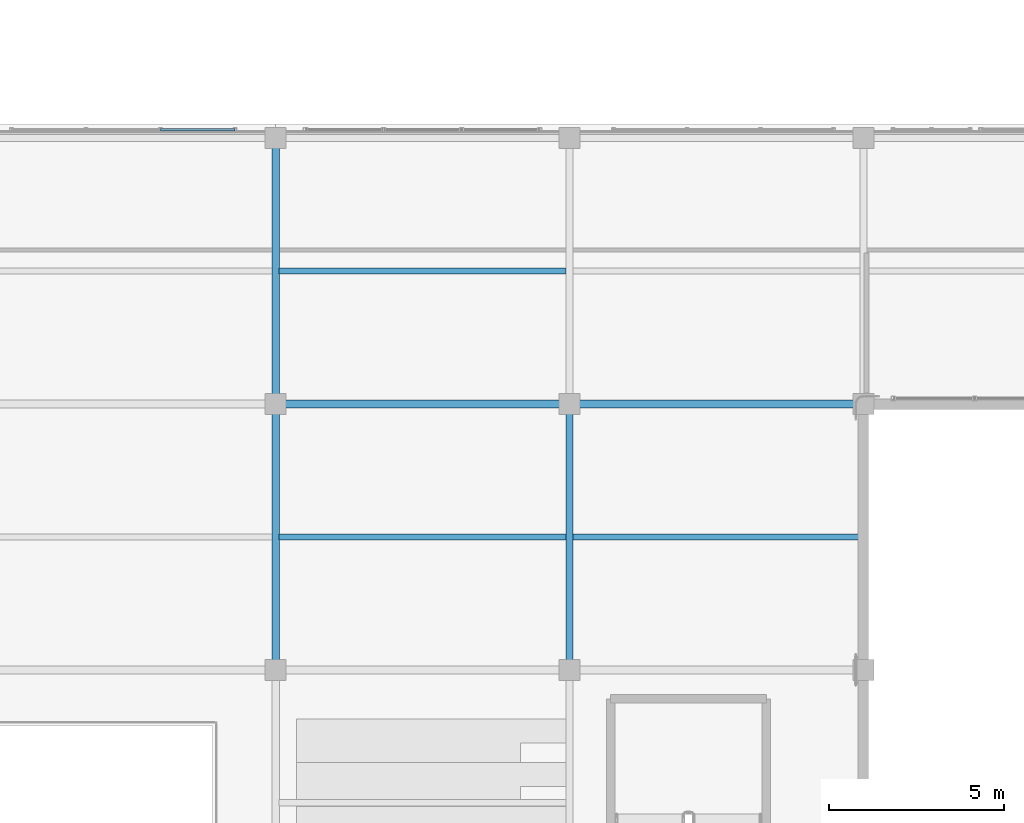
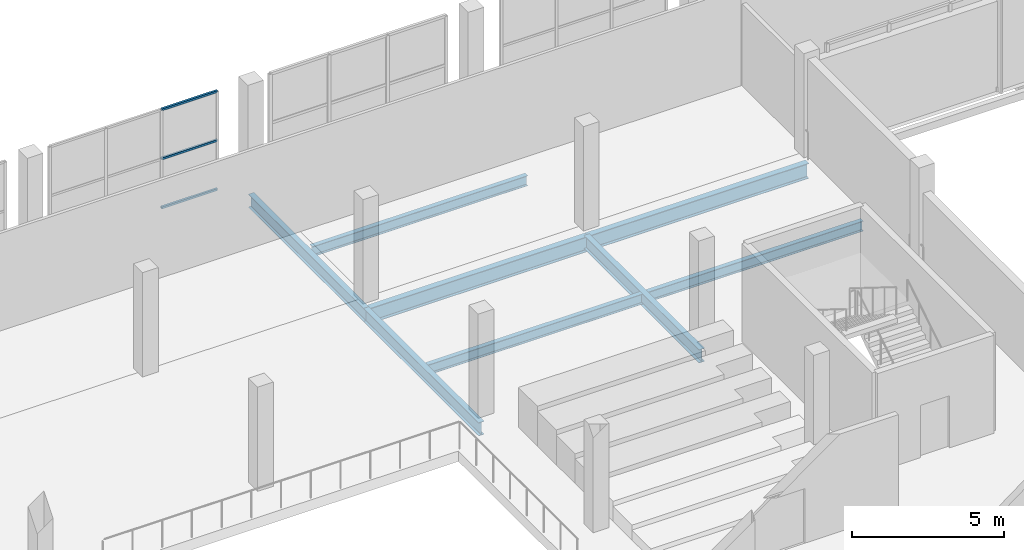
# One storey, part 39 of 217: 8 beams, 3 members, 1 element without a shape of its own.
"""IFC4 building model written with IfcOpenShell, lengths in metres."""

from ifc_helpers import new_model, si_unit, direction, frame, origin, origin_2d, place, context, subcontext, project, spatial, hollow_rectangle, i_section, extrude, material, material_profile, profile_set, type_object, element, aggregate, save


model = new_model("IFC4")

# Units and contexts
model_context = context("Model", 3, precision=1e-05, world=origin(), true_north=direction((0.0, 1.0)))
body_context = subcontext(model_context, "Body", "Model", "MODEL_VIEW")
ifc_project = project(units=[si_unit("LENGTHUNIT", "METRE"), si_unit("AREAUNIT", "SQUARE_METRE"), si_unit("VOLUMEUNIT", "CUBIC_METRE"), si_unit("PLANEANGLEUNIT", "RADIAN"), si_unit("MASSUNIT", "GRAM", prefix="KILO")], contexts=[model_context])

# Site, building, storey
site_placement = place(None, origin())
site = spatial("IfcSite", under=ifc_project, at=site_placement, CompositionType="ELEMENT")
building_placement = place(site_placement, origin())
building = spatial("IfcBuilding", under=site, at=building_placement, Name="Zuvorla Pavilion Media Centre", CompositionType="ELEMENT")
storey_placement = place(building_placement, frame((0.0, 0.0, 9.60009765625)))
storey = spatial("IfcBuildingStorey", under=building, at=storey_placement, Name="L02", CompositionType="ELEMENT", Elevation=9.60009765625)

# Beams
ifc_material_1 = material(Name="Steel S355", Category="steel")
ifc_material_profile_1 = material_profile(ifc_material_1, i_section(OverallWidth=0.1787109375, OverallDepth=0.409423828125, WebThickness=0.0087890625, FlangeThickness=0.014404296875, FilletRadius=0.01025390625, at=origin_2d()), Name="UB 406x178x67")
ifc_profile_set_1 = profile_set([ifc_material_profile_1], Name="Steel S355")
beam_type_1 = type_object("IfcBeamType", Name="BM-UB406", PredefinedType="JOIST", material=ifc_profile_set_1)
for number, where, z_axis, x_axis, name in (
    (1, (92.10009765625, 40.199951171875, -0.6328125), (1.0, 0.0, 0.0), (0.0, 1.0, 0.0), "L02 joist J02 1022"),
    (2, (92.10009765625, 47.800048828125, -0.472900390625), (1.0, 0.0, 0.0), (0.0, 1.0, 0.0), "L02 joist J02 1023"),
    (3, (100.5, 40.199951171875, -0.6328125), (1.0, 0.0, 0.0), (0.0, 1.0, 0.0), "L02 joist J02 1027"),
):
    element("IfcBeam", number, at=place(storey_placement, frame(where, z_axis=z_axis, x_axis=x_axis)), inside=storey, type_object=beam_type_1, Name=name, PredefinedType="JOIST", context=body_context, shape_type="SweptSolid", body=[
        extrude(i_section(OverallWidth=0.1787109375, OverallDepth=0.409423828125, WebThickness=0.0087890625, FlangeThickness=0.014404296875, FilletRadius=0.01025390625, at=origin_2d()), origin(), (0.0, 0.0, 1.0), 8.199951171875),
    ])
ifc_material_profile_2 = material_profile(ifc_material_1, i_section(OverallWidth=0.2099609375, OverallDepth=0.53662109375, WebThickness=0.0107421875, FlangeThickness=0.017333984375, FilletRadius=0.0126953125, at=origin_2d()), Name="UB 533x210x101")
ifc_profile_set_2 = profile_set([ifc_material_profile_2], Name="Steel S355")
beam_type_2 = type_object("IfcBeamType", Name="BM-UB533", PredefinedType="BEAM", material=ifc_profile_set_2)
for number, where, z_axis, x_axis, name in (
    (4, (92.0, 36.39990234375, -0.6962890625), (0.0, 1.0, 0.0), (-1.0, 0.0, 0.0), "L02 beam B08 944"),
    (5, (92.0, 44.0, -0.6962890625), (0.0, 1.0, 0.0), (-1.0, 0.0, 0.0), "L02 beam B08 945"),
    (6, (100.39990234375, 36.39990234375, -0.6962890625), (0.0, 1.0, 0.0), (-1.0, 0.0, 0.0), "L02 beam B08 951"),
):
    element("IfcBeam", number, at=place(storey_placement, frame(where, z_axis=z_axis, x_axis=x_axis)), inside=storey, type_object=beam_type_2, Name=name, PredefinedType="BEAM", context=body_context, shape_type="SweptSolid", body=[
        extrude(i_section(OverallWidth=0.2099609375, OverallDepth=0.53662109375, WebThickness=0.0107421875, FlangeThickness=0.017333984375, FilletRadius=0.0126953125, at=origin_2d()), origin(), (0.0, 0.0, 1.0), 7.60009765625),
    ])
ifc_material_profile_3 = material_profile(ifc_material_1, i_section(OverallWidth=0.22900390625, OverallDepth=0.6123046875, WebThickness=0.011962890625, FlangeThickness=0.01953125, FilletRadius=0.0126953125, at=origin_2d()), Name="UB 610x229x125")
ifc_profile_set_3 = profile_set([ifc_material_profile_3], Name="Steel S355")
beam_type_3 = type_object("IfcBeamType", Name="BM-UB610", PredefinedType="BEAM", material=ifc_profile_set_3)
beam_1_placement = place(storey_placement, frame((92.0, 44.0, -0.734130859375), z_axis=(1.0, 0.0, 0.0), x_axis=(0.0, 1.0, 0.0)))
element("IfcBeam", 7, at=beam_1_placement, inside=storey, type_object=beam_type_3, Name="L02 beam B07 827", PredefinedType="BEAM", context=body_context, shape_type="SweptSolid", body=[
    extrude(i_section(OverallWidth=0.22900390625, OverallDepth=0.6123046875, WebThickness=0.011962890625, FlangeThickness=0.01953125, FilletRadius=0.0126953125, at=origin_2d()), origin(), (0.0, 0.0, 1.0), 8.39990234375),
])
beam_2_placement = place(storey_placement, frame((100.39990234375, 44.0, -0.734130859375), z_axis=(1.0, 0.0, 0.0), x_axis=(0.0, 1.0, 0.0)))
element("IfcBeam", 8, at=beam_2_placement, inside=storey, type_object=beam_type_3, Name="L02 beam B07 828", PredefinedType="BEAM", context=body_context, shape_type="SweptSolid", body=[
    extrude(i_section(OverallWidth=0.22900390625, OverallDepth=0.6123046875, WebThickness=0.011962890625, FlangeThickness=0.01953125, FilletRadius=0.0126953125, at=origin_2d()), origin(), (0.0, 0.0, 1.0), 8.400146484375),
])

# Curtain wall, members
ifc_material_2 = material(Name="Unitised anodised aluminium and solar glass curtain wall", Category="aluminium")
curtain_wall_type = type_object("IfcCurtainWallType", Name="CW-SYS-45", PredefinedType="USERDEFINED", material=ifc_material_2)
curtain_wall_placement = place(storey_placement, origin())
curtain_wall = element("IfcCurtainWall", 9, at=curtain_wall_placement, inside=storey, type_object=curtain_wall_type, Name="L02 curtain wall CW45 66", ObjectType="CURTAIN WALL", PredefinedType="USERDEFINED")
ifc_material_3 = material(Name="Anodised aluminium 6063-T6", Category="aluminium")
ifc_material_profile_4 = material_profile(ifc_material_3, hollow_rectangle(XDim=0.080078125, YDim=0.080078125, WallThickness=0.00390625, at=origin_2d()), Name="ALU TRAN 80x80")
ifc_profile_set_4 = profile_set([ifc_material_profile_4], Name="Anodised aluminium 6063-T6")
member_type = type_object("IfcMemberType", Name="CW-TRAN-80", PredefinedType="USERDEFINED", material=ifc_profile_set_4)
member_1_placement = place(storey_placement, frame((88.710205078125, 51.840087890625, 0.0), z_axis=(1.0, 0.0, 0.0), x_axis=(0.0, 1.0, 0.0)))
member_1 = element("IfcMember", 10, at=member_1_placement, type_object=member_type, Name="CW45 transom 3.1", ObjectType="TRANSOM", PredefinedType="USERDEFINED", context=body_context, shape_type="SweptSolid", body=[
    extrude(hollow_rectangle(XDim=0.080078125, YDim=0.080078125, WallThickness=0.00390625, at=origin_2d()), origin(), (0.0, 0.0, 1.0), 2.1298828125),
])
member_2_placement = place(storey_placement, frame((88.710205078125, 51.840087890625, 1.974853515625), z_axis=(1.0, 0.0, 0.0), x_axis=(0.0, 1.0, 0.0)))
member_2 = element("IfcMember", 11, at=member_2_placement, type_object=member_type, Name="CW45 transom 3.2", ObjectType="TRANSOM", PredefinedType="USERDEFINED", context=body_context, shape_type="SweptSolid", body=[
    extrude(hollow_rectangle(XDim=0.080078125, YDim=0.080078125, WallThickness=0.00390625, at=origin_2d()), origin(), (0.0, 0.0, 1.0), 2.1298828125),
])
member_3_placement = place(storey_placement, frame((88.710205078125, 51.840087890625, 3.949951171875), z_axis=(1.0, 0.0, 0.0), x_axis=(0.0, 1.0, 0.0)))
member_3 = element("IfcMember", 12, at=member_3_placement, type_object=member_type, Name="CW45 transom 3.3", ObjectType="TRANSOM", PredefinedType="USERDEFINED", context=body_context, shape_type="SweptSolid", body=[
    extrude(hollow_rectangle(XDim=0.080078125, YDim=0.080078125, WallThickness=0.00390625, at=origin_2d()), origin(), (0.0, 0.0, 1.0), 2.1298828125),
])
aggregate(curtain_wall, [member_1, member_2, member_3])

save(model, "model.ifc")
